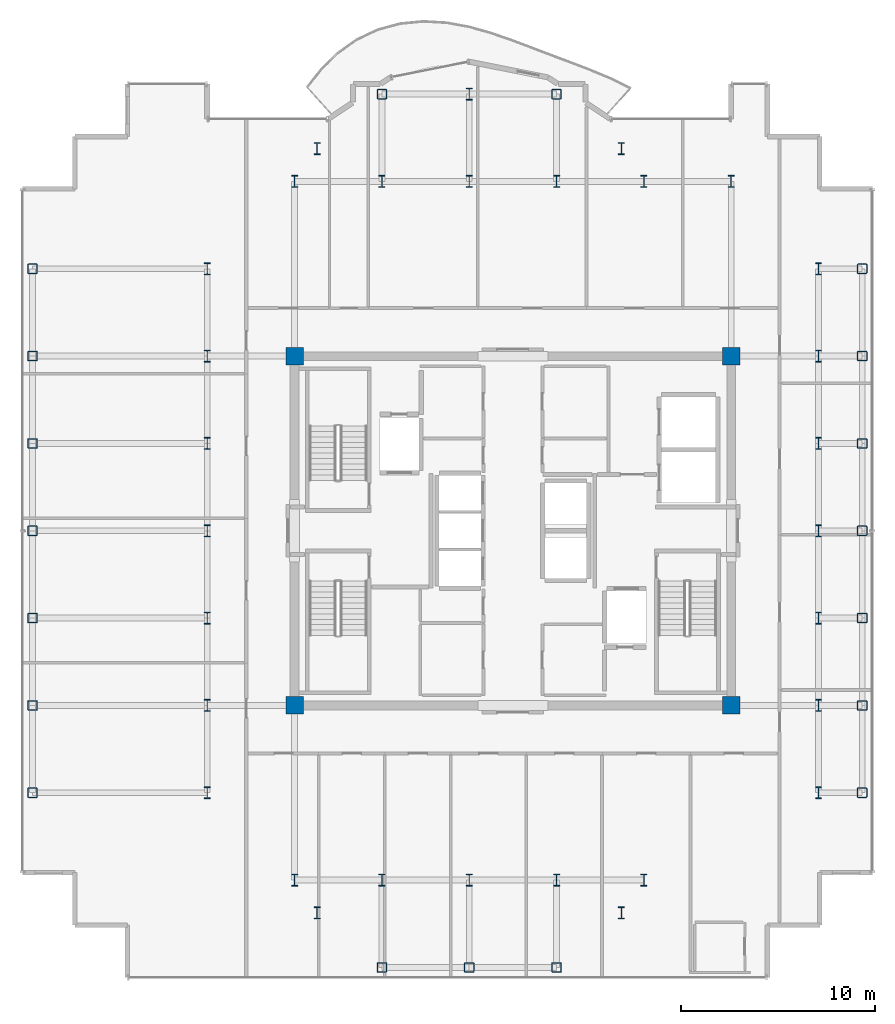
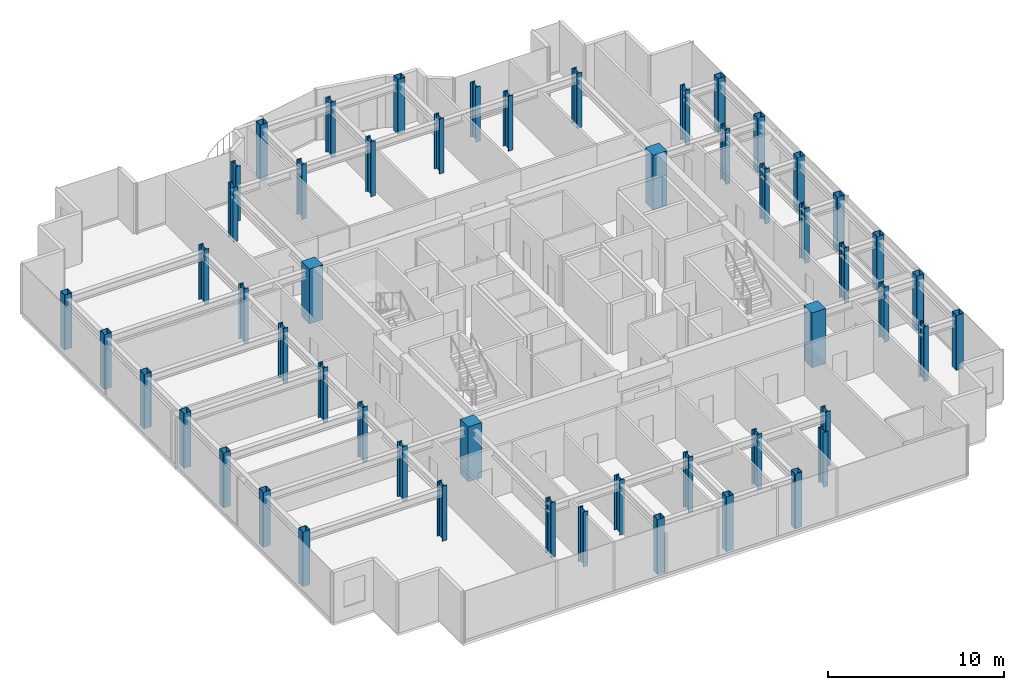
# One storey, part 1 of 18: 53 columns.
"""IFC4 building model written with IfcOpenShell, lengths in metres."""

from ifc_helpers import new_model, si_unit, direction, frame, origin, origin_2d, place, context, subcontext, project, spatial, rectangle, hollow_rectangle, i_section, extrude, source, transform, mapped, material, material_profile, profile_set, type_object, element, save


model = new_model("IFC4")

# Units and contexts
model_context = context("Model", 3, precision=1e-05, world=origin(), true_north=direction((0.0, 1.0)))
body_context = subcontext(model_context, "Body", "Model", "MODEL_VIEW")
ifc_project = project(units=[si_unit("LENGTHUNIT", "METRE"), si_unit("AREAUNIT", "SQUARE_METRE"), si_unit("VOLUMEUNIT", "CUBIC_METRE"), si_unit("PLANEANGLEUNIT", "RADIAN"), si_unit("MASSUNIT", "GRAM", prefix="KILO")], contexts=[model_context])

# Site, building, storey
site_placement = place(None, origin())
site = spatial("IfcSite", under=ifc_project, at=site_placement, CompositionType="ELEMENT")
building_placement = place(site_placement, origin())
building = spatial("IfcBuilding", under=site, at=building_placement, Name="Nefas-Gora Pilgrimage Tower", CompositionType="ELEMENT")
storey_placement = place(building_placement, frame((0.0, 0.0, 314.0)))
storey = spatial("IfcBuildingStorey", under=building, at=storey_placement, Name="L79", CompositionType="ELEMENT", Elevation=314.0)

# Columns
ifc_material_1 = material(Name="Steel S355", Category="steel")
ifc_material_profile_1 = material_profile(ifc_material_1, i_section(OverallWidth=0.304931640625, OverallDepth=0.6201171875, WebThickness=0.02099609375, FlangeThickness=0.0400390625, FilletRadius=0.027099609375, at=origin_2d()), Name="HEM 600")
ifc_profile_set_1 = profile_set([ifc_material_profile_1], Name="Steel S355")
column_type_1 = type_object("IfcColumnType", Name="COL-WEB-HEM600", PredefinedType="COLUMN", material=ifc_profile_set_1)
shared_shape_1 = source(origin(), body_context, "Body", "SweptSolid", [
    extrude(i_section(OverallWidth=0.304931640625, OverallDepth=0.6201171875, WebThickness=0.02099609375, FlangeThickness=0.0400390625, FilletRadius=0.027099609375, at=origin_2d()), origin(), (0.0, 0.0, 1.0), 3.800048828125),
])
for number, where, z_axis, x_axis, name in (
    (1, (-15.75, -13.5, 0.0), (0.0, 0.0, 1.0), (1.0, 0.0, 0.0), "L79 Tower Column CW-03.8"),
    (2, (-15.75, -9.0, 0.0), (0.0, 0.0, 1.0), (1.0, 0.0, 0.0), "L79 Tower Column CW-03.9"),
    (3, (-15.75, -4.5, 0.0), (0.0, 0.0, 1.0), (1.0, 0.0, 0.0), "L79 Tower Column CW-03.10"),
    (4, (-15.75, 0.0, 0.0), (0.0, 0.0, 1.0), (1.0, 0.0, 0.0), "L79 Tower Column CW-03.11"),
    (5, (-15.75, 4.5, 0.0), (0.0, 0.0, 1.0), (1.0, 0.0, 0.0), "L79 Tower Column CW-03.12"),
    (6, (-15.75, 9.0, 0.0), (0.0, 0.0, 1.0), (1.0, 0.0, 0.0), "L79 Tower Column CW-03.13"),
    (7, (-15.75, 13.5, 0.0), (0.0, 0.0, 1.0), (1.0, 0.0, 0.0), "L79 Tower Column CW-03.14"),
    (8, (-11.25, -18.0, 0.0), (0.0, 0.0, 1.0), (1.0, 0.0, 0.0), "L79 Tower Column CW-03.15"),
    (9, (-11.25, 18.0, 0.0), (0.0, 0.0, 1.0), (1.0, 0.0, 0.0), "L79 Tower Column CW-03.18"),
    (10, (-10.091064453125, -19.696044921875, 0.0), (0.0, 0.0, 1.0), (1.0, 0.0, 0.0), "L79 Tower Column CW-03.19"),
    (11, (-10.091064453125, 19.696044921875, 0.0), (0.0, 0.0, 1.0), (1.0, 0.0, 0.0), "L79 Tower Column CW-03.20"),
    (12, (-6.75, -18.0, 0.0), (0.0, 0.0, 1.0), (1.0, 0.0, 0.0), "L79 Tower Column CW-03.22"),
    (13, (-6.75, 18.0, 0.0), (0.0, 0.0, 1.0), (1.0, 0.0, 0.0), "L79 Tower Column CW-03.23"),
    (14, (-2.25, -18.0, 0.0), (0.0, 0.0, 1.0), (1.0, 0.0, 0.0), "L79 Tower Column CW-03.26"),
    (15, (-2.25, 18.0, 0.0), (0.0, 0.0, 1.0), (1.0, 0.0, 0.0), "L79 Tower Column CW-03.27"),
    (16, (-2.25, 22.5, 0.0), (0.0, 0.0, 1.0), (1.0, 0.0, 0.0), "L79 Tower Column CW-03.28"),
    (17, (2.25, -18.0, 0.0), (0.0, 0.0, 1.0), (1.0, 0.0, 0.0), "L79 Tower Column CW-03.30"),
    (18, (2.25, 18.0, 0.0), (0.0, 0.0, 1.0), (1.0, 0.0, 0.0), "L79 Tower Column CW-03.31"),
    (19, (5.591064453125, -19.696044921875, 0.0), (0.0, 0.0, 1.0), (1.0, 0.0, 0.0), "L79 Tower Column CW-03.33"),
    (20, (5.591064453125, 19.696044921875, 0.0), (0.0, 0.0, 1.0), (1.0, 0.0, 0.0), "L79 Tower Column CW-03.34"),
    (21, (6.75, -18.0, 0.0), (0.0, 0.0, 1.0), (1.0, 0.0, 0.0), "L79 Tower Column CW-03.35"),
    (22, (6.75, 18.0, 0.0), (0.0, 0.0, 1.0), (1.0, 0.0, 0.0), "L79 Tower Column CW-03.36"),
    (23, (11.25, 18.0, 0.0), (0.0, 0.0, 1.0), (1.0, 0.0, 0.0), "L79 Tower Column CW-03.39"),
    (24, (15.75, -13.5, 0.0), (0.0, 0.0, 1.0), (1.0, 0.0, 0.0), "L79 Tower Column CW-03.40"),
    (25, (15.75, -9.0, 0.0), (0.0, 0.0, 1.0), (1.0, 0.0, 0.0), "L79 Tower Column CW-03.41"),
    (26, (15.75, -4.5, 0.0), (0.0, 0.0, 1.0), (1.0, 0.0, 0.0), "L79 Tower Column CW-03.42"),
    (27, (15.75, 0.0, 0.0), (0.0, 0.0, 1.0), (1.0, 0.0, 0.0), "L79 Tower Column CW-03.43"),
    (28, (15.75, 4.5, 0.0), (0.0, 0.0, 1.0), (1.0, 0.0, 0.0), "L79 Tower Column CW-03.44"),
    (29, (15.75, 9.0, 0.0), (0.0, 0.0, 1.0), (1.0, 0.0, 0.0), "L79 Tower Column CW-03.45"),
    (30, (15.75, 13.5, 0.0), (0.0, 0.0, 1.0), (1.0, 0.0, 0.0), "L79 Tower Column CW-03.46"),
):
    element("IfcColumn", number, at=place(storey_placement, frame(where, z_axis=z_axis, x_axis=x_axis)), inside=storey, type_object=column_type_1, Name=name, PredefinedType="COLUMN", context=body_context, shape_type="MappedRepresentation", body=[
        mapped(shared_shape_1, transform((0.0, 0.0, 0.0), x_axis=(1.0, 0.0, 0.0), y_axis=(0.0, 1.0, 0.0), z_axis=(0.0, 0.0, 1.0), scale=1.0)),
    ])
ifc_material_profile_2 = material_profile(ifc_material_1, hollow_rectangle(XDim=0.5, YDim=0.5, WallThickness=0.02490234375, InnerFilletRadius=0.02490234375, OuterFilletRadius=0.050048828125, at=origin_2d()), Name="SHS 500x500x25")
ifc_profile_set_2 = profile_set([ifc_material_profile_2], Name="Steel S355")
column_type_2 = type_object("IfcColumnType", Name="COL-TUBE-500", PredefinedType="COLUMN", material=ifc_profile_set_2)
shared_shape_2 = source(origin(), body_context, "Body", "SweptSolid", [
    extrude(hollow_rectangle(XDim=0.5, YDim=0.5, WallThickness=0.02490234375, InnerFilletRadius=0.02490234375, OuterFilletRadius=0.050048828125, at=origin_2d()), origin(), (0.0, 0.0, 1.0), 3.800048828125),
])
for number, where, z_axis, x_axis, name in (
    (31, (-24.75, -13.5, 0.0), (0.0, 0.0, 1.0), (1.0, 0.0, 0.0), "L79 Tower Column C-Z4.1"),
    (32, (-24.75, -9.0, 0.0), (0.0, 0.0, 1.0), (1.0, 0.0, 0.0), "L79 Tower Column C-Z4.2"),
    (33, (-24.75, -4.5, 0.0), (0.0, 0.0, 1.0), (1.0, 0.0, 0.0), "L79 Tower Column C-Z4.3"),
    (34, (-24.75, 0.0, 0.0), (0.0, 0.0, 1.0), (1.0, 0.0, 0.0), "L79 Tower Column C-Z4.4"),
    (35, (-24.75, 4.5, 0.0), (0.0, 0.0, 1.0), (1.0, 0.0, 0.0), "L79 Tower Column C-Z4.5"),
    (36, (-24.75, 9.0, 0.0), (0.0, 0.0, 1.0), (1.0, 0.0, 0.0), "L79 Tower Column C-Z4.6"),
    (37, (-24.75, 13.5, 0.0), (0.0, 0.0, 1.0), (1.0, 0.0, 0.0), "L79 Tower Column C-Z4.7"),
    (38, (-6.75, -22.5, 0.0), (0.0, 0.0, 1.0), (1.0, 0.0, 0.0), "L79 Tower Column C-Z4.21"),
    (39, (-6.75, 22.5, 0.0), (0.0, 0.0, 1.0), (1.0, 0.0, 0.0), "L79 Tower Column C-Z4.24"),
    (40, (-2.25, -22.5, 0.0), (0.0, 0.0, 1.0), (1.0, 0.0, 0.0), "L79 Tower Column C-Z4.25"),
    (41, (2.25, -22.5, 0.0), (0.0, 0.0, 1.0), (1.0, 0.0, 0.0), "L79 Tower Column C-Z4.29"),
    (42, (2.25, 22.5, 0.0), (0.0, 0.0, 1.0), (1.0, 0.0, 0.0), "L79 Tower Column C-Z4.32"),
    (43, (18.0, -13.5, 0.0), (0.0, 0.0, 1.0), (1.0, 0.0, 0.0), "L79 Tower Column C-Z4.47"),
    (44, (18.0, -9.0, 0.0), (0.0, 0.0, 1.0), (1.0, 0.0, 0.0), "L79 Tower Column C-Z4.48"),
    (45, (18.0, -4.5, 0.0), (0.0, 0.0, 1.0), (1.0, 0.0, 0.0), "L79 Tower Column C-Z4.49"),
    (46, (18.0, 0.0, 0.0), (0.0, 0.0, 1.0), (1.0, 0.0, 0.0), "L79 Tower Column C-Z4.50"),
    (47, (18.0, 4.5, 0.0), (0.0, 0.0, 1.0), (1.0, 0.0, 0.0), "L79 Tower Column C-Z4.51"),
    (48, (18.0, 9.0, 0.0), (0.0, 0.0, 1.0), (1.0, 0.0, 0.0), "L79 Tower Column C-Z4.52"),
    (49, (18.0, 13.5, 0.0), (0.0, 0.0, 1.0), (1.0, 0.0, 0.0), "L79 Tower Column C-Z4.53"),
):
    element("IfcColumn", number, at=place(storey_placement, frame(where, z_axis=z_axis, x_axis=x_axis)), inside=storey, type_object=column_type_2, Name=name, PredefinedType="COLUMN", context=body_context, shape_type="MappedRepresentation", body=[
        mapped(shared_shape_2, transform((0.0, 0.0, 0.0), x_axis=(1.0, 0.0, 0.0), y_axis=(0.0, 1.0, 0.0), z_axis=(0.0, 0.0, 1.0), scale=1.0)),
    ])
ifc_material_2 = material(Name="Concrete C50/60", Category="concrete")
ifc_material_profile_3 = material_profile(ifc_material_2, rectangle(XDim=0.89990234375, YDim=0.89990234375, at=origin_2d()), Name="RC 900x900")
ifc_profile_set_3 = profile_set([ifc_material_profile_3], Name="Concrete C50/60")
column_type_3 = type_object("IfcColumnType", Name="COL-RC-900", PredefinedType="COLUMN", material=ifc_profile_set_3)
shared_shape_3 = source(origin(), body_context, "Body", "SweptSolid", [
    extrude(rectangle(XDim=0.89990234375, YDim=0.89990234375, at=origin_2d()), origin(), (0.0, 0.0, 1.0), 3.800048828125),
])
for number, where, z_axis, x_axis, name in (
    (50, (-11.25, -9.0, 0.0), (0.0, 0.0, 1.0), (1.0, 0.0, 0.0), "L79 Tower Column CRC-02.16"),
    (51, (-11.25, 9.0, 0.0), (0.0, 0.0, 1.0), (1.0, 0.0, 0.0), "L79 Tower Column CRC-02.17"),
    (52, (11.25, -9.0, 0.0), (0.0, 0.0, 1.0), (1.0, 0.0, 0.0), "L79 Tower Column CRC-02.37"),
    (53, (11.25, 9.0, 0.0), (0.0, 0.0, 1.0), (1.0, 0.0, 0.0), "L79 Tower Column CRC-02.38"),
):
    element("IfcColumn", number, at=place(storey_placement, frame(where, z_axis=z_axis, x_axis=x_axis)), inside=storey, type_object=column_type_3, Name=name, PredefinedType="COLUMN", context=body_context, shape_type="MappedRepresentation", body=[
        mapped(shared_shape_3, transform((0.0, 0.0, 0.0), x_axis=(1.0, 0.0, 0.0), y_axis=(0.0, 1.0, 0.0), z_axis=(0.0, 0.0, 1.0), scale=1.0)),
    ])

save(model, "model.ifc")
